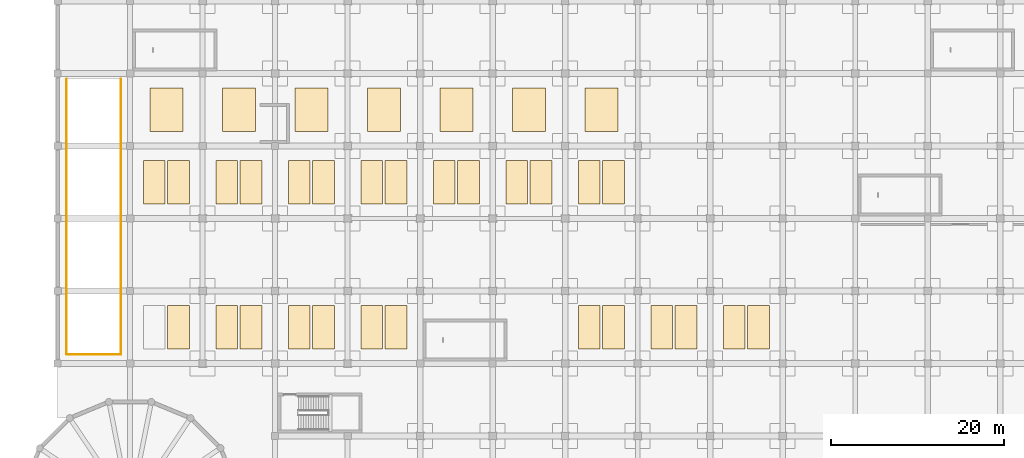
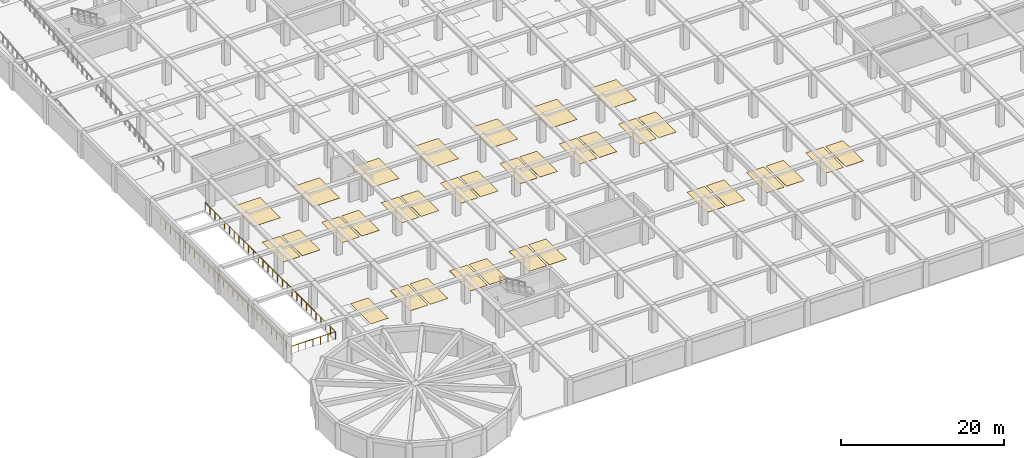
# One storey, part 24 of 32: 34 coverings, 1 railing.
"""IFC4 building model written with IfcOpenShell, lengths in metres."""

import ifcopenshell
import ifcopenshell.guid

model = None  # the IFC model being written
_history = None  # IfcOwnerHistory: only IFC2X3 demands one
_inside = {}  # id of a spatial element -> (the spatial element, [elements in it])
_under = {}  # id of a project, library or spatial element -> (it, [spatial elements below it])
_declared = {}  # id of a project -> (the project, [libraries it declares])
_typed = {}  # id of a type object -> (the type object, [elements of that type])
_made_of = {}  # id of a material, layer set ... -> (it, [elements and type objects made of it])


def new_model(schema):
    """Start an empty IFC model of exactly this schema.

    Asked for "IFC4X3", IfcOpenShell would pick the latest addendum, in which some entities
    have other attributes; the version numbers below select the first issue.
    IFC2X3 requires an IfcOwnerHistory on every rooted entity: one is made here for all.
    """
    global model, _history
    if schema == "IFC4X3":
        model = ifcopenshell.file(schema_version=(4, 3, 0, 0))
    else:
        model = ifcopenshell.file(schema=schema)
    _inside.clear()
    _under.clear()
    _declared.clear()
    _typed.clear()
    _made_of.clear()
    _history = None
    if model.schema == "IFC2X3":
        org = make("IfcOrganization", Name="unknown")
        user = make(
            "IfcPersonAndOrganization",
            ThePerson=make("IfcPerson", FamilyName="unknown"),
            TheOrganization=org,
        )
        app = make(
            "IfcApplication",
            ApplicationDeveloper=org,
            Version="unknown",
            ApplicationFullName="unknown",
            ApplicationIdentifier="unknown",
        )
        _history = make(
            "IfcOwnerHistory",
            OwningUser=user,
            OwningApplication=app,
            ChangeAction="ADDED",
            CreationDate=0,
        )
    return model


def make(cls, **values):
    """One entity of the class cls with the attributes given. An attribute that is None is left unset."""
    return model.create_entity(
        cls, **{name: value for name, value in values.items() if value is not None}
    )


def rooted(cls, **values):
    """An entity with a GlobalId (a new one), such as an element, a storey or a relation."""
    return make(cls, GlobalId=ifcopenshell.guid.new(), OwnerHistory=_history, **values)


def si_unit(unit_type, name, prefix=None):
    """IfcSIUnit, for example si_unit("LENGTHUNIT", "METRE", prefix="MILLI")."""
    return make("IfcSIUnit", UnitType=unit_type, Prefix=prefix, Name=name)


def assignment(units):
    """IfcUnitAssignment: the units of a project."""
    return None if units is None else make("IfcUnitAssignment", Units=units)


def point(xyz):
    """IfcCartesianPoint."""
    return None if xyz is None else make("IfcCartesianPoint", Coordinates=xyz)


def direction(xyz):
    """IfcDirection."""
    return None if xyz is None else make("IfcDirection", DirectionRatios=xyz)


def frame(location, z_axis=None, x_axis=None):
    """IfcAxis2Placement3D, a coordinate frame: its origin and axes. An axis left out is left unset."""
    return make(
        "IfcAxis2Placement3D",
        Location=point(location),
        Axis=direction(z_axis),
        RefDirection=direction(x_axis),
    )


def frame_2d(location, x_axis=None):
    """IfcAxis2Placement2D, a coordinate frame in the plane: its origin and x axis."""
    return make(
        "IfcAxis2Placement2D", Location=point(location), RefDirection=direction(x_axis)
    )


def origin():
    """The frame at (0, 0, 0) with its axes left unset."""
    return frame((0.0, 0.0, 0.0))


def origin_2d():
    """The frame at (0, 0) in the plane with its x axis left unset."""
    return frame_2d((0.0, 0.0))


def place(relative_to, where):
    """IfcLocalPlacement: puts the frame where relative to a parent placement (None: the world)."""
    return make(
        "IfcLocalPlacement", PlacementRelTo=relative_to, RelativePlacement=where
    )


def context(
    kind, dimensions, precision=None, world=None, true_north=None, identifier=None
):
    """IfcGeometricRepresentationContext, for example the 3D "Model" context."""
    return make(
        "IfcGeometricRepresentationContext",
        ContextIdentifier=identifier,
        ContextType=kind,
        CoordinateSpaceDimension=dimensions,
        Precision=precision,
        WorldCoordinateSystem=world,
        TrueNorth=true_north,
    )


def subcontext(parent, identifier, kind, view, scale=None):
    """IfcGeometricRepresentationSubContext, for example "Body" below "Model"."""
    return make(
        "IfcGeometricRepresentationSubContext",
        ContextIdentifier=identifier,
        ContextType=kind,
        ParentContext=parent,
        TargetScale=scale,
        TargetView=view,
    )


def project(units=None, contexts=None):
    """IfcProject with its units and contexts."""
    return rooted(
        "IfcProject",
        Name="project",
        RepresentationContexts=contexts,
        UnitsInContext=assignment(units),
    )


def spatial(cls, under=None, at=None, **own):
    """A site, building, storey or space (cls), placed at a placement, below another one or the project."""
    s = rooted(cls, ObjectPlacement=at, **own)
    if under is not None:
        _under.setdefault(under.id(), (under, []))[1].append(s)
    return s


def profile(cls, at=None, kind="AREA", **sizes):
    """A parametric profile (cls). Its sizes go by their IFC names, for example OverallWidth=200.0."""
    return make(cls, ProfileType=kind, Position=at, **sizes)


def rectangle(**sizes):
    """IfcRectangleProfileDef."""
    return profile("IfcRectangleProfileDef", **sizes)


def circle(**sizes):
    """IfcCircleProfileDef."""
    return profile("IfcCircleProfileDef", **sizes)


def extrude(swept, where, along, depth):
    """IfcExtrudedAreaSolid: the profile swept, set in the frame where, extruded along a direction by depth."""
    return make(
        "IfcExtrudedAreaSolid",
        SweptArea=swept,
        Position=where,
        ExtrudedDirection=direction(along),
        Depth=depth,
    )


def shape(context_of_items, identifier, shape_type, items):
    """IfcShapeRepresentation: the items that make up one representation, for example the "Body"."""
    return make(
        "IfcShapeRepresentation",
        ContextOfItems=context_of_items,
        RepresentationIdentifier=identifier,
        RepresentationType=shape_type,
        Items=items,
    )


def material(Name=None, Category=None):
    """IfcMaterial."""
    return make("IfcMaterial", Name=Name, Category=Category)


def layer(
    of_material, thickness, ventilated=None, Name=None, Category=None, Priority=None
):
    """IfcMaterialLayer: one layer of a wall or slab, of a material (None: an air gap)."""
    return make(
        "IfcMaterialLayer",
        Material=of_material,
        LayerThickness=thickness,
        IsVentilated=ventilated,
        Name=Name,
        Category=Category,
        Priority=Priority,
    )


def layer_set(layers, Name=None):
    """IfcMaterialLayerSet."""
    return make("IfcMaterialLayerSet", MaterialLayers=layers, LayerSetName=Name)


def made_of(thing, what):
    """Note that an element or type object is made of a material, layer set ...; save() writes the relation."""
    if what is not None:
        _made_of.setdefault(what.id(), (what, []))[1].append(thing)
    return thing


def type_object(cls, material=None, **own):
    """A type object (cls), such as IfcWallType, which elements share."""
    return made_of(rooted(cls, **own), material)


def element(
    cls,
    number,
    at=None,
    inside=None,
    cuts=None,
    type_object=None,
    material=None,
    context=None,
    identifier="Body",
    shape_type=None,
    held_by="IfcProductDefinitionShape",
    body=None,
    shapes=None,
    **own,
):
    """One element of the class cls, such as IfcWall. Its Tag is "e" and its number.

    at: its placement. inside: the storey or other place that contains it. cuts: it is an
    opening in that element (IfcRelVoidsElement). A single representation is given by context,
    identifier, shape_type and body (its items); several are given by shapes. held_by: the class
    of the entity that holds the representations. save() writes the other relations.
    """
    e = rooted(cls, Tag="e%d" % number, ObjectPlacement=at, **own)
    if body is not None:
        shapes = [shape(context, identifier, shape_type, body)]
    if shapes is not None:
        e.Representation = make(held_by, Representations=shapes)
    if inside is not None:
        _inside.setdefault(inside.id(), (inside, []))[1].append(e)
    if cuts is not None:
        rooted(
            "IfcRelVoidsElement", RelatingBuildingElement=cuts, RelatedOpeningElement=e
        )
    if type_object is not None:
        _typed.setdefault(type_object.id(), (type_object, []))[1].append(e)
    return made_of(e, material)


def aggregate(whole, parts):
    """IfcRelAggregates: a whole, such as a stair, and the parts it consists of."""
    return rooted("IfcRelAggregates", RelatingObject=whole, RelatedObjects=parts)


def save(model, path):
    """Write the relations noted so far, then the file.

    IfcRelAggregates (storeys below a building ...), IfcRelContainedInSpatialStructure (elements
    in a storey), IfcRelDefinesByType, IfcRelAssociatesMaterial and IfcRelDeclares: one each for
    every whole, place, type object, material and project.
    """
    for whole, parts in _under.values():
        aggregate(whole, parts)
    for where, things in _inside.values():
        rooted(
            "IfcRelContainedInSpatialStructure",
            RelatedElements=things,
            RelatingStructure=where,
        )
    for kind, things in _typed.values():
        rooted("IfcRelDefinesByType", RelatedObjects=things, RelatingType=kind)
    for what, things in _made_of.values():
        rooted("IfcRelAssociatesMaterial", RelatedObjects=things, RelatingMaterial=what)
    for by, libraries in _declared.values():
        rooted("IfcRelDeclares", RelatingContext=by, RelatedDefinitions=libraries)
    model.write(path)


model = new_model("IFC4")

# Units and contexts
model_context = context("Model", 3, precision=1e-05, world=origin(), true_north=direction((0.0, 1.0)))
body_context = subcontext(model_context, "Body", "Model", "MODEL_VIEW")
ifc_project = project(units=[si_unit("LENGTHUNIT", "METRE"), si_unit("AREAUNIT", "SQUARE_METRE"), si_unit("VOLUMEUNIT", "CUBIC_METRE"), si_unit("PLANEANGLEUNIT", "RADIAN"), si_unit("MASSUNIT", "GRAM", prefix="KILO")], contexts=[model_context])

# Site, building, storey
site_placement = place(None, origin())
site = spatial("IfcSite", under=ifc_project, at=site_placement, CompositionType="ELEMENT")
building_placement = place(site_placement, origin())
building = spatial("IfcBuilding", under=site, at=building_placement, Name="Almacenes y Pasaje Nevantli", CompositionType="ELEMENT")
storey_placement = place(building_placement, frame((0.0, 0.0, -4.199951171875)))
storey = spatial("IfcBuildingStorey", under=building, at=storey_placement, Name="B01", CompositionType="ELEMENT", Elevation=-4.199951171875)

# Coverings
ifc_material_1 = material(Name="Thermoplastic Accessible Stall Marking", Category="stone")
ifc_layer_1 = layer(ifc_material_1, 0.010009765625)
ifc_layer_set_1 = layer_set([ifc_layer_1], Name="Thermoplastic Accessible Stall Marking")
covering_type_1 = type_object("IfcCoveringType", Name="COV-PARK-ACC", PredefinedType="FLOORING", material=ifc_layer_set_1)
for number, where, z_axis, x_axis, name in (
    (1, (12.60009765625, 54.60009765625, 0.0), (0.0, 0.0, 1.0), (1.0, 0.0, 0.0), "B01 Accessible Parking Bay Marking #15"),
    (2, (21.0, 54.60009765625, 0.0), (0.0, 0.0, 1.0), (1.0, 0.0, 0.0), "B01 Accessible Parking Bay Marking #16"),
    (3, (29.39990234375, 54.60009765625, 0.0), (0.0, 0.0, 1.0), (1.0, 0.0, 0.0), "B01 Accessible Parking Bay Marking #17"),
    (4, (37.800048828125, 54.60009765625, 0.0), (0.0, 0.0, 1.0), (1.0, 0.0, 0.0), "B01 Accessible Parking Bay Marking #18"),
    (5, (46.199951171875, 54.60009765625, 0.0), (0.0, 0.0, 1.0), (1.0, 0.0, 0.0), "B01 Accessible Parking Bay Marking #19"),
    (6, (54.60009765625, 54.60009765625, 0.0), (0.0, 0.0, 1.0), (1.0, 0.0, 0.0), "B01 Accessible Parking Bay Marking #20"),
    (7, (63.0, 54.60009765625, 0.0), (0.0, 0.0, 1.0), (1.0, 0.0, 0.0), "B01 Accessible Parking Bay Marking #21"),
):
    element("IfcCovering", number, at=place(storey_placement, frame(where, z_axis=z_axis, x_axis=x_axis)), inside=storey, type_object=covering_type_1, Name=name, PredefinedType="FLOORING", context=body_context, shape_type="SweptSolid", body=[
        extrude(rectangle(XDim=3.800048828125, YDim=5.0, at=origin_2d()), origin(), (0.0, 0.0, 1.0), 0.010009765625),
    ])
ifc_material_2 = material(Name="Thermoplastic Traffic Deck Marking", Category="stone")
ifc_layer_2 = layer(ifc_material_2, 0.010009765625)
ifc_layer_set_2 = layer_set([ifc_layer_2], Name="Thermoplastic Traffic Deck Marking")
covering_type_2 = type_object("IfcCoveringType", Name="COV-PARK-BAY", PredefinedType="FLOORING", material=ifc_layer_set_2)
for number, where, z_axis, x_axis, name in (
    (8, (14.0, 29.39990234375, 0.0), (0.0, 0.0, 1.0), (1.0, 0.0, 0.0), "B01 Underground Parking Bay Marking #56"),
    (9, (19.60009765625, 29.39990234375, 0.0), (0.0, 0.0, 1.0), (1.0, 0.0, 0.0), "B01 Underground Parking Bay Marking #57"),
    (10, (22.39990234375, 29.39990234375, 0.0), (0.0, 0.0, 1.0), (1.0, 0.0, 0.0), "B01 Underground Parking Bay Marking #58"),
    (11, (28.0, 29.39990234375, 0.0), (0.0, 0.0, 1.0), (1.0, 0.0, 0.0), "B01 Underground Parking Bay Marking #59"),
    (12, (30.800048828125, 29.39990234375, 0.0), (0.0, 0.0, 1.0), (1.0, 0.0, 0.0), "B01 Underground Parking Bay Marking #60"),
    (13, (36.39990234375, 29.39990234375, 0.0), (0.0, 0.0, 1.0), (1.0, 0.0, 0.0), "B01 Underground Parking Bay Marking #61"),
    (14, (39.199951171875, 29.39990234375, 0.0), (0.0, 0.0, 1.0), (1.0, 0.0, 0.0), "B01 Underground Parking Bay Marking #62"),
    (15, (61.60009765625, 29.39990234375, 0.0), (0.0, 0.0, 1.0), (1.0, 0.0, 0.0), "B01 Underground Parking Bay Marking #63"),
    (16, (64.39990234375, 29.39990234375, 0.0), (0.0, 0.0, 1.0), (1.0, 0.0, 0.0), "B01 Underground Parking Bay Marking #64"),
    (17, (70.0, 29.39990234375, 0.0), (0.0, 0.0, 1.0), (1.0, 0.0, 0.0), "B01 Underground Parking Bay Marking #65"),
    (18, (72.800048828125, 29.39990234375, 0.0), (0.0, 0.0, 1.0), (1.0, 0.0, 0.0), "B01 Underground Parking Bay Marking #66"),
    (19, (78.39990234375, 29.39990234375, 0.0), (0.0, 0.0, 1.0), (1.0, 0.0, 0.0), "B01 Underground Parking Bay Marking #67"),
    (20, (81.199951171875, 29.39990234375, 0.0), (0.0, 0.0, 1.0), (1.0, 0.0, 0.0), "B01 Underground Parking Bay Marking #68"),
    (21, (11.199951171875, 46.199951171875, 0.0), (0.0, 0.0, 1.0), (1.0, 0.0, 0.0), "B01 Underground Parking Bay Marking #69"),
    (22, (14.0, 46.199951171875, 0.0), (0.0, 0.0, 1.0), (1.0, 0.0, 0.0), "B01 Underground Parking Bay Marking #70"),
    (23, (19.60009765625, 46.199951171875, 0.0), (0.0, 0.0, 1.0), (1.0, 0.0, 0.0), "B01 Underground Parking Bay Marking #71"),
    (24, (22.39990234375, 46.199951171875, 0.0), (0.0, 0.0, 1.0), (1.0, 0.0, 0.0), "B01 Underground Parking Bay Marking #72"),
    (25, (28.0, 46.199951171875, 0.0), (0.0, 0.0, 1.0), (1.0, 0.0, 0.0), "B01 Underground Parking Bay Marking #73"),
    (26, (30.800048828125, 46.199951171875, 0.0), (0.0, 0.0, 1.0), (1.0, 0.0, 0.0), "B01 Underground Parking Bay Marking #74"),
    (27, (36.39990234375, 46.199951171875, 0.0), (0.0, 0.0, 1.0), (1.0, 0.0, 0.0), "B01 Underground Parking Bay Marking #75"),
    (28, (39.199951171875, 46.199951171875, 0.0), (0.0, 0.0, 1.0), (1.0, 0.0, 0.0), "B01 Underground Parking Bay Marking #76"),
    (29, (44.800048828125, 46.199951171875, 0.0), (0.0, 0.0, 1.0), (1.0, 0.0, 0.0), "B01 Underground Parking Bay Marking #77"),
    (30, (47.60009765625, 46.199951171875, 0.0), (0.0, 0.0, 1.0), (1.0, 0.0, 0.0), "B01 Underground Parking Bay Marking #78"),
    (31, (53.199951171875, 46.199951171875, 0.0), (0.0, 0.0, 1.0), (1.0, 0.0, 0.0), "B01 Underground Parking Bay Marking #79"),
    (32, (56.0, 46.199951171875, 0.0), (0.0, 0.0, 1.0), (1.0, 0.0, 0.0), "B01 Underground Parking Bay Marking #80"),
    (33, (61.60009765625, 46.199951171875, 0.0), (0.0, 0.0, 1.0), (1.0, 0.0, 0.0), "B01 Underground Parking Bay Marking #81"),
    (34, (64.39990234375, 46.199951171875, 0.0), (0.0, 0.0, 1.0), (1.0, 0.0, 0.0), "B01 Underground Parking Bay Marking #82"),
):
    element("IfcCovering", number, at=place(storey_placement, frame(where, z_axis=z_axis, x_axis=x_axis)), inside=storey, type_object=covering_type_2, Name=name, PredefinedType="FLOORING", context=body_context, shape_type="SweptSolid", body=[
        extrude(rectangle(XDim=2.5, YDim=5.0, at=origin_2d()), origin(), (0.0, 0.0, 1.0), 0.010009765625),
    ])

# Railing
ifc_material_3 = material(Name="Brushed Stainless Steel and Tempered Safety Glass", Category="steel")
railing_type = type_object("IfcRailingType", Name="RL-GUARD-1100", PredefinedType="BALUSTRADE", material=ifc_material_3)
railing_placement = place(storey_placement, frame((1.050048828125, 58.14990234375, 0.0)))
element("IfcRailing", 35, at=railing_placement, inside=storey, type_object=railing_type, Name="B01 Vehicular Ramp RP-01 Well Guard Balustrade", PredefinedType="BALUSTRADE", context=body_context, shape_type="SweptSolid", body=[
    extrude(circle(Radius=0.02392578125, at=origin_2d()), frame((0.0, -0.030029296875, 1.1259765625), z_axis=(0.0, -1.0, 0.0), x_axis=(1.0, 0.0, 0.0)), (0.0, 0.0, 1.0), 31.83984375),
    extrude(circle(Radius=0.02392578125, at=origin_2d()), frame((0.030029296875, -31.89990234375, 1.1259765625), z_axis=(1.0, 0.0, 0.0), x_axis=(0.0, 1.0, 0.0)), (0.0, 0.0, 1.0), 6.239990234375),
    extrude(circle(Radius=0.02392578125, at=origin_2d()), frame((6.300048828125, -31.869873046875, 1.1259765625), z_axis=(0.0, 1.0, 0.0), x_axis=(-1.0, 0.0, 0.0)), (0.0, 0.0, 1.0), 31.83984375),
    extrude(circle(Radius=0.02099609375, at=origin_2d()), origin(), (0.0, 0.0, 1.0), 1.096923828125),
    extrude(circle(Radius=0.02099609375, at=origin_2d()), frame((0.0, -1.181396484375, 0.0)), (0.0, 0.0, 1.0), 1.096923828125),
    extrude(circle(Radius=0.02099609375, at=origin_2d()), frame((0.0, -2.363037109375, 0.0)), (0.0, 0.0, 1.0), 1.096923828125),
    extrude(circle(Radius=0.02099609375, at=origin_2d()), frame((0.0, -3.54443359375, 0.0)), (0.0, 0.0, 1.0), 1.096923828125),
    extrude(circle(Radius=0.02099609375, at=origin_2d()), frame((0.0, -4.725830078125, 0.0)), (0.0, 0.0, 1.0), 1.096923828125),
    extrude(circle(Radius=0.02099609375, at=origin_2d()), frame((0.0, -5.907470703125, 0.0)), (0.0, 0.0, 1.0), 1.096923828125),
    extrude(circle(Radius=0.02099609375, at=origin_2d()), frame((0.0, -7.0888671875, 0.0)), (0.0, 0.0, 1.0), 1.096923828125),
    extrude(circle(Radius=0.02099609375, at=origin_2d()), frame((0.0, -8.270263671875, 0.0)), (0.0, 0.0, 1.0), 1.096923828125),
    extrude(circle(Radius=0.02099609375, at=origin_2d()), frame((0.0, -9.451904296875, 0.0)), (0.0, 0.0, 1.0), 1.096923828125),
    extrude(circle(Radius=0.02099609375, at=origin_2d()), frame((0.0, -10.63330078125, 0.0)), (0.0, 0.0, 1.0), 1.096923828125),
    extrude(circle(Radius=0.02099609375, at=origin_2d()), frame((0.0, -11.814697265625, 0.0)), (0.0, 0.0, 1.0), 1.096923828125),
    extrude(circle(Radius=0.02099609375, at=origin_2d()), frame((0.0, -12.996337890625, 0.0)), (0.0, 0.0, 1.0), 1.096923828125),
    extrude(circle(Radius=0.02099609375, at=origin_2d()), frame((0.0, -14.177734375, 0.0)), (0.0, 0.0, 1.0), 1.096923828125),
    extrude(circle(Radius=0.02099609375, at=origin_2d()), frame((0.0, -15.359130859375, 0.0)), (0.0, 0.0, 1.0), 1.096923828125),
    extrude(circle(Radius=0.02099609375, at=origin_2d()), frame((0.0, -16.540771484375, 0.0)), (0.0, 0.0, 1.0), 1.096923828125),
    extrude(circle(Radius=0.02099609375, at=origin_2d()), frame((0.0, -17.72216796875, 0.0)), (0.0, 0.0, 1.0), 1.096923828125),
    extrude(circle(Radius=0.02099609375, at=origin_2d()), frame((0.0, -18.903564453125, 0.0)), (0.0, 0.0, 1.0), 1.096923828125),
    extrude(circle(Radius=0.02099609375, at=origin_2d()), frame((0.0, -20.085205078125, 0.0)), (0.0, 0.0, 1.0), 1.096923828125),
    extrude(circle(Radius=0.02099609375, at=origin_2d()), frame((0.0, -21.2666015625, 0.0)), (0.0, 0.0, 1.0), 1.096923828125),
    extrude(circle(Radius=0.02099609375, at=origin_2d()), frame((0.0, -22.447998046875, 0.0)), (0.0, 0.0, 1.0), 1.096923828125),
    extrude(circle(Radius=0.02099609375, at=origin_2d()), frame((0.0, -23.629638671875, 0.0)), (0.0, 0.0, 1.0), 1.096923828125),
    extrude(circle(Radius=0.02099609375, at=origin_2d()), frame((0.0, -24.81103515625, 0.0)), (0.0, 0.0, 1.0), 1.096923828125),
    extrude(circle(Radius=0.02099609375, at=origin_2d()), frame((0.0, -25.992431640625, 0.0)), (0.0, 0.0, 1.0), 1.096923828125),
    extrude(circle(Radius=0.02099609375, at=origin_2d()), frame((0.0, -27.174072265625, 0.0)), (0.0, 0.0, 1.0), 1.096923828125),
    extrude(circle(Radius=0.02099609375, at=origin_2d()), frame((0.0, -28.35546875, 0.0)), (0.0, 0.0, 1.0), 1.096923828125),
    extrude(circle(Radius=0.02099609375, at=origin_2d()), frame((0.0, -29.536865234375, 0.0)), (0.0, 0.0, 1.0), 1.096923828125),
    extrude(circle(Radius=0.02099609375, at=origin_2d()), frame((0.0, -30.718505859375, 0.0)), (0.0, 0.0, 1.0), 1.096923828125),
    extrude(circle(Radius=0.02099609375, at=origin_2d()), frame((0.0, -31.89990234375, 0.0)), (0.0, 0.0, 1.0), 1.096923828125),
    extrude(circle(Radius=0.02099609375, at=origin_2d()), frame((1.050048828125, -31.89990234375, 0.0)), (0.0, 0.0, 1.0), 1.096923828125),
    extrude(circle(Radius=0.02099609375, at=origin_2d()), frame((2.10009765625, -31.89990234375, 0.0)), (0.0, 0.0, 1.0), 1.096923828125),
    extrude(circle(Radius=0.02099609375, at=origin_2d()), frame((3.14990234375, -31.89990234375, 0.0)), (0.0, 0.0, 1.0), 1.096923828125),
    extrude(circle(Radius=0.02099609375, at=origin_2d()), frame((4.199951171875, -31.89990234375, 0.0)), (0.0, 0.0, 1.0), 1.096923828125),
    extrude(circle(Radius=0.02099609375, at=origin_2d()), frame((5.25, -31.89990234375, 0.0)), (0.0, 0.0, 1.0), 1.096923828125),
    extrude(circle(Radius=0.02099609375, at=origin_2d()), frame((6.300048828125, -31.89990234375, 0.0)), (0.0, 0.0, 1.0), 1.096923828125),
    extrude(circle(Radius=0.02099609375, at=origin_2d()), frame((6.300048828125, -30.718505859375, 0.0)), (0.0, 0.0, 1.0), 1.096923828125),
    extrude(circle(Radius=0.02099609375, at=origin_2d()), frame((6.300048828125, -29.536865234375, 0.0)), (0.0, 0.0, 1.0), 1.096923828125),
    extrude(circle(Radius=0.02099609375, at=origin_2d()), frame((6.300048828125, -28.35546875, 0.0)), (0.0, 0.0, 1.0), 1.096923828125),
    extrude(circle(Radius=0.02099609375, at=origin_2d()), frame((6.300048828125, -27.174072265625, 0.0)), (0.0, 0.0, 1.0), 1.096923828125),
    extrude(circle(Radius=0.02099609375, at=origin_2d()), frame((6.300048828125, -25.992431640625, 0.0)), (0.0, 0.0, 1.0), 1.096923828125),
    extrude(circle(Radius=0.02099609375, at=origin_2d()), frame((6.300048828125, -24.81103515625, 0.0)), (0.0, 0.0, 1.0), 1.096923828125),
    extrude(circle(Radius=0.02099609375, at=origin_2d()), frame((6.300048828125, -23.629638671875, 0.0)), (0.0, 0.0, 1.0), 1.096923828125),
    extrude(circle(Radius=0.02099609375, at=origin_2d()), frame((6.300048828125, -22.447998046875, 0.0)), (0.0, 0.0, 1.0), 1.096923828125),
    extrude(circle(Radius=0.02099609375, at=origin_2d()), frame((6.300048828125, -21.2666015625, 0.0)), (0.0, 0.0, 1.0), 1.096923828125),
    extrude(circle(Radius=0.02099609375, at=origin_2d()), frame((6.300048828125, -20.085205078125, 0.0)), (0.0, 0.0, 1.0), 1.096923828125),
    extrude(circle(Radius=0.02099609375, at=origin_2d()), frame((6.300048828125, -18.903564453125, 0.0)), (0.0, 0.0, 1.0), 1.096923828125),
    extrude(circle(Radius=0.02099609375, at=origin_2d()), frame((6.300048828125, -17.72216796875, 0.0)), (0.0, 0.0, 1.0), 1.096923828125),
    extrude(circle(Radius=0.02099609375, at=origin_2d()), frame((6.300048828125, -16.540771484375, 0.0)), (0.0, 0.0, 1.0), 1.096923828125),
    extrude(circle(Radius=0.02099609375, at=origin_2d()), frame((6.300048828125, -15.359130859375, 0.0)), (0.0, 0.0, 1.0), 1.096923828125),
    extrude(circle(Radius=0.02099609375, at=origin_2d()), frame((6.300048828125, -14.177734375, 0.0)), (0.0, 0.0, 1.0), 1.096923828125),
    extrude(circle(Radius=0.02099609375, at=origin_2d()), frame((6.300048828125, -12.996337890625, 0.0)), (0.0, 0.0, 1.0), 1.096923828125),
    extrude(circle(Radius=0.02099609375, at=origin_2d()), frame((6.300048828125, -11.814697265625, 0.0)), (0.0, 0.0, 1.0), 1.096923828125),
    extrude(circle(Radius=0.02099609375, at=origin_2d()), frame((6.300048828125, -10.63330078125, 0.0)), (0.0, 0.0, 1.0), 1.096923828125),
    extrude(circle(Radius=0.02099609375, at=origin_2d()), frame((6.300048828125, -9.451904296875, 0.0)), (0.0, 0.0, 1.0), 1.096923828125),
    extrude(circle(Radius=0.02099609375, at=origin_2d()), frame((6.300048828125, -8.270263671875, 0.0)), (0.0, 0.0, 1.0), 1.096923828125),
    extrude(circle(Radius=0.02099609375, at=origin_2d()), frame((6.300048828125, -7.0888671875, 0.0)), (0.0, 0.0, 1.0), 1.096923828125),
    extrude(circle(Radius=0.02099609375, at=origin_2d()), frame((6.300048828125, -5.907470703125, 0.0)), (0.0, 0.0, 1.0), 1.096923828125),
    extrude(circle(Radius=0.02099609375, at=origin_2d()), frame((6.300048828125, -4.725830078125, 0.0)), (0.0, 0.0, 1.0), 1.096923828125),
    extrude(circle(Radius=0.02099609375, at=origin_2d()), frame((6.300048828125, -3.54443359375, 0.0)), (0.0, 0.0, 1.0), 1.096923828125),
    extrude(circle(Radius=0.02099609375, at=origin_2d()), frame((6.300048828125, -2.363037109375, 0.0)), (0.0, 0.0, 1.0), 1.096923828125),
    extrude(circle(Radius=0.02099609375, at=origin_2d()), frame((6.300048828125, -1.181396484375, 0.0)), (0.0, 0.0, 1.0), 1.096923828125),
    extrude(circle(Radius=0.02099609375, at=origin_2d()), frame((6.300048828125, 0.0, 0.0)), (0.0, 0.0, 1.0), 1.096923828125),
])

save(model, "model.ifc")
